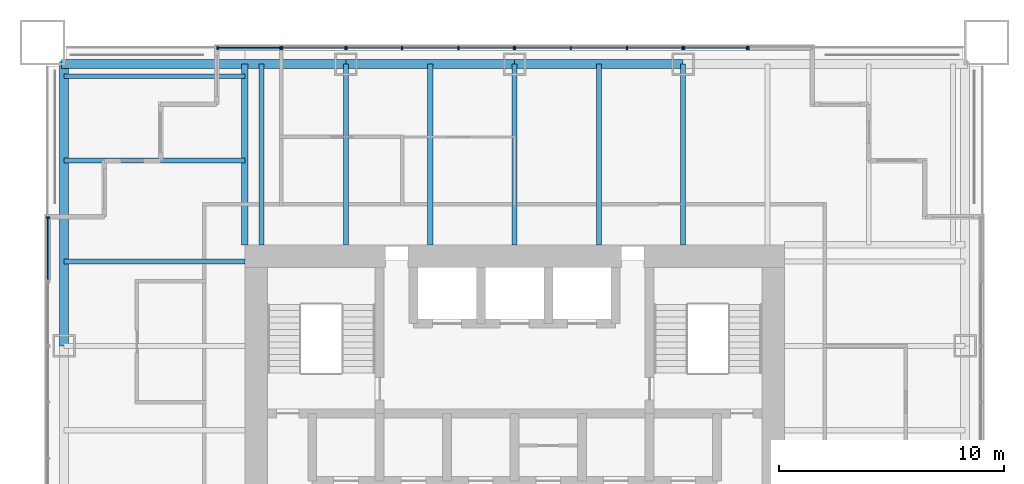
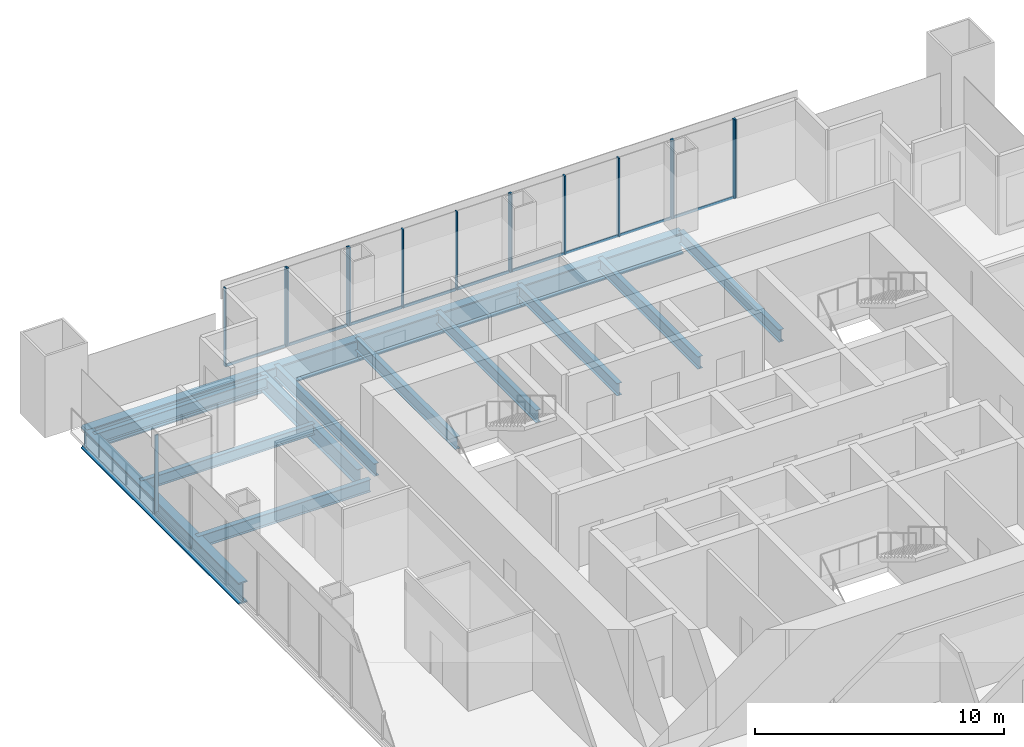
# One storey, part 6 of 14: 26 members, 14 beams, 7 elements without a shape of their own.
"""IFC4 building model written with IfcOpenShell, lengths in metres."""

from ifc_helpers import new_model, si_unit, direction, frame, origin, origin_2d, place, context, subcontext, project, spatial, rectangle, i_section, extrude, material, material_profile, profile_set, type_object, element, aggregate, save


model = new_model("IFC4")

# Units and contexts
model_context = context("Model", 3, precision=1e-05, world=origin(), true_north=direction((0.0, 1.0)))
body_context = subcontext(model_context, "Body", "Model", "MODEL_VIEW")
ifc_project = project(units=[si_unit("LENGTHUNIT", "METRE"), si_unit("AREAUNIT", "SQUARE_METRE"), si_unit("VOLUMEUNIT", "CUBIC_METRE"), si_unit("PLANEANGLEUNIT", "RADIAN"), si_unit("MASSUNIT", "GRAM", prefix="KILO")], contexts=[model_context])

# Site, building, storey
site_placement = place(None, origin())
site = spatial("IfcSite", under=ifc_project, at=site_placement, CompositionType="ELEMENT")
building_placement = place(site_placement, origin())
building = spatial("IfcBuilding", under=site, at=building_placement, Name="Tarangal Relay Tower", CompositionType="ELEMENT")
storey_placement = place(building_placement, frame((0.0, 0.0, 263.89990234375)))
storey = spatial("IfcBuildingStorey", under=building, at=storey_placement, Name="L57", CompositionType="ELEMENT", Elevation=263.89990234375)

# Beams
ifc_material_1 = material(Name="Steel ASTM A992", Category="steel")
ifc_material_profile_1 = material_profile(ifc_material_1, i_section(OverallWidth=0.209228515625, OverallDepth=0.533447265625, WebThickness=0.01025390625, FlangeThickness=0.015625, at=origin_2d()), Name="W21X62")
ifc_profile_set_1 = profile_set([ifc_material_profile_1], Name="Steel ASTM A992")
beam_type_1 = type_object("IfcBeamType", Name="Corner beam W21X62", PredefinedType="JOIST", material=ifc_profile_set_1)
for number, where, z_axis, x_axis, name in (
    (1, (-12.0, 15.75, -0.41650390625), (-1.0, 0.0, 0.0), (0.0, -1.0, 0.0), "Corner beam CB12 W L57"),
    (2, (-12.0, 19.5, -0.41650390625), (-1.0, 0.0, 0.0), (0.0, -1.0, 0.0), "Corner beam CB12 W L57"),
):
    element("IfcBeam", number, at=place(storey_placement, frame(where, z_axis=z_axis, x_axis=x_axis)), inside=storey, type_object=beam_type_1, Name=name, PredefinedType="JOIST", context=body_context, shape_type="SweptSolid", body=[
        extrude(i_section(OverallWidth=0.209228515625, OverallDepth=0.533447265625, WebThickness=0.01025390625, FlangeThickness=0.015625, at=origin_2d()), origin(), (0.0, 0.0, 1.0), 8.0400390625),
    ])
ifc_material_profile_2 = material_profile(ifc_material_1, i_section(OverallWidth=0.2919921875, OverallDepth=0.8408203125, WebThickness=0.0146484375, FlangeThickness=0.021728515625, at=origin_2d()), Name="W33X130")
ifc_profile_set_2 = profile_set([ifc_material_profile_2], Name="Steel ASTM A992")
beam_type_2 = type_object("IfcBeamType", Name="Corner girder W33X130", PredefinedType="BEAM", material=ifc_profile_set_2)
beam_1_placement = place(storey_placement, frame((-12.0, 12.0, -0.5703125), z_axis=(0.0, 1.0, 0.0), x_axis=(-1.0, 0.0, 0.0)))
element("IfcBeam", 3, at=beam_1_placement, inside=storey, type_object=beam_type_2, Name="Corner girder CG5 W L57", PredefinedType="BEAM", context=body_context, shape_type="SweptSolid", body=[
    extrude(i_section(OverallWidth=0.2919921875, OverallDepth=0.8408203125, WebThickness=0.0146484375, FlangeThickness=0.021728515625, at=origin_2d()), origin(), (0.0, 0.0, 1.0), 8.0400390625),
])
ifc_material_profile_3 = material_profile(ifc_material_1, i_section(OverallWidth=0.41162109375, OverallDepth=1.049072265625, WebThickness=0.033935546875, FlangeThickness=0.059814453125, at=origin_2d()), Name="W40X431")
ifc_profile_set_3 = profile_set([ifc_material_profile_3], Name="Steel ASTM A992")
beam_type_3 = type_object("IfcBeamType", Name="Edge girder W40X431", PredefinedType="SPANDREL", material=ifc_profile_set_3)
beam_2_placement = place(storey_placement, frame((-20.14990234375, 20.0400390625, -0.67431640625), z_axis=(1.0, 0.0, 0.0), x_axis=(0.0, 1.0, 0.0)))
element("IfcBeam", 4, at=beam_2_placement, inside=storey, type_object=beam_type_3, Name="Edge girder EG1 N L57", PredefinedType="SPANDREL", context=body_context, shape_type="SweptSolid", body=[
    extrude(i_section(OverallWidth=0.41162109375, OverallDepth=1.049072265625, WebThickness=0.033935546875, FlangeThickness=0.059814453125, at=origin_2d()), origin(), (0.0, 0.0, 1.0), 12.64990234375),
])
for number, where, z_axis, x_axis, name in (
    (5, (-7.5, 20.0400390625, -0.67431640625), (1.0, 0.0, 0.0), (0.0, 1.0, 0.0), "Edge girder EG1 N L57"),
    (6, (0.0, 20.0400390625, -0.67431640625), (1.0, 0.0, 0.0), (0.0, 1.0, 0.0), "Edge girder EG1 N L57"),
):
    element("IfcBeam", number, at=place(storey_placement, frame(where, z_axis=z_axis, x_axis=x_axis)), inside=storey, type_object=beam_type_3, Name=name, PredefinedType="SPANDREL", context=body_context, shape_type="SweptSolid", body=[
        extrude(i_section(OverallWidth=0.41162109375, OverallDepth=1.049072265625, WebThickness=0.033935546875, FlangeThickness=0.059814453125, at=origin_2d()), origin(), (0.0, 0.0, 1.0), 7.5),
    ])
beam_3_placement = place(storey_placement, frame((-20.0400390625, 7.5, -0.67431640625), z_axis=(0.0, 1.0, 0.0), x_axis=(-1.0, 0.0, 0.0)))
element("IfcBeam", 7, at=beam_3_placement, inside=storey, type_object=beam_type_3, Name="Edge girder EG1 W L57", PredefinedType="SPANDREL", context=body_context, shape_type="SweptSolid", body=[
    extrude(i_section(OverallWidth=0.41162109375, OverallDepth=1.049072265625, WebThickness=0.033935546875, FlangeThickness=0.059814453125, at=origin_2d()), origin(), (0.0, 0.0, 1.0), 12.64990234375),
])
ifc_material_profile_4 = material_profile(ifc_material_1, i_section(OverallWidth=0.228271484375, OverallDepth=0.607177734375, WebThickness=0.01123046875, FlangeThickness=0.017333984375, at=origin_2d()), Name="W24X76")
ifc_profile_set_4 = profile_set([ifc_material_profile_4], Name="Steel ASTM A992")
beam_type_4 = type_object("IfcBeamType", Name="Floor beam W24X76", PredefinedType="BEAM", material=ifc_profile_set_4)
for number, where, z_axis, x_axis, name in (
    (8, (-11.25, 12.0, -0.453369140625), (0.0, 1.0, 0.0), (-1.0, 0.0, 0.0), "Floor beam RB5 N L57"),
    (9, (-7.5, 12.0, -0.453369140625), (0.0, 1.0, 0.0), (-1.0, 0.0, 0.0), "Floor beam RB5 N L57"),
    (10, (-3.75, 12.0, -0.453369140625), (0.0, 1.0, 0.0), (-1.0, 0.0, 0.0), "Floor beam RB5 N L57"),
    (11, (0.0, 12.0, -0.453369140625), (0.0, 1.0, 0.0), (-1.0, 0.0, 0.0), "Floor beam RB5 N L57"),
    (12, (3.75, 12.0, -0.453369140625), (0.0, 1.0, 0.0), (-1.0, 0.0, 0.0), "Floor beam RB5 N L57"),
    (13, (7.5, 12.0, -0.453369140625), (0.0, 1.0, 0.0), (-1.0, 0.0, 0.0), "Floor beam RB5 N L57"),
    (14, (-12.0, 11.25, -0.453369140625), (-1.0, 0.0, 0.0), (0.0, -1.0, 0.0), "Floor beam RB5 W L57"),
):
    element("IfcBeam", number, at=place(storey_placement, frame(where, z_axis=z_axis, x_axis=x_axis)), inside=storey, type_object=beam_type_4, Name=name, PredefinedType="BEAM", context=body_context, shape_type="SweptSolid", body=[
        extrude(i_section(OverallWidth=0.228271484375, OverallDepth=0.607177734375, WebThickness=0.01123046875, FlangeThickness=0.017333984375, at=origin_2d()), origin(), (0.0, 0.0, 1.0), 8.0400390625),
    ])

# Curtain wall, members
ifc_material_2 = material(Name="Unitised curtain wall, dark glass and black aluminium", Category="aluminium")
curtain_wall_type_1 = type_object("IfcCurtainWallType", Name="Curtain wall CW-B", PredefinedType="USERDEFINED", material=ifc_material_2)
curtain_wall_1_placement = place(storey_placement, origin())
curtain_wall_1 = element("IfcCurtainWall", 15, at=curtain_wall_1_placement, inside=storey, type_object=curtain_wall_type_1, Name="Curtain wall CW-B N facade L57", ObjectType="UNITISED CURTAIN WALL", PredefinedType="USERDEFINED")
ifc_material_3 = material(Name="Black anodised aluminium mullion", Category="aluminium")
ifc_material_profile_5 = material_profile(ifc_material_3, rectangle(XDim=0.159912109375, YDim=0.06005859375, at=origin_2d()), Name="CW-BM 60X160")
ifc_profile_set_5 = profile_set([ifc_material_profile_5], Name="Black anodised aluminium mullion")
member_type_1 = type_object("IfcMemberType", Name="Mullion CW-B 60 x 160", PredefinedType="MULLION", material=ifc_profile_set_5)
member_1_placement = place(storey_placement, frame((-10.344970703125, 20.75, 0.0), z_axis=(0.0, 0.0, 1.0), x_axis=(0.0, 1.0, 0.0)))
member_1 = element("IfcMember", 16, at=member_1_placement, type_object=member_type_1, Name="CW-B mullion 1", PredefinedType="MULLION", context=body_context, shape_type="SweptSolid", body=[
    extrude(rectangle(XDim=0.159912109375, YDim=0.06005859375, at=origin_2d()), origin(), (0.0, 0.0, 1.0), 3.85009765625),
])
member_2_placement = place(storey_placement, frame((-7.530029296875, 20.75, 0.0), z_axis=(0.0, 0.0, 1.0), x_axis=(0.0, 1.0, 0.0)))
member_2 = element("IfcMember", 17, at=member_2_placement, type_object=member_type_1, Name="CW-B mullion 2", PredefinedType="MULLION", context=body_context, shape_type="SweptSolid", body=[
    extrude(rectangle(XDim=0.159912109375, YDim=0.06005859375, at=origin_2d()), origin(), (0.0, 0.0, 1.0), 3.85009765625),
])

curtain_wall_2_placement = place(storey_placement, origin())
curtain_wall_2 = element("IfcCurtainWall", 18, at=curtain_wall_2_placement, inside=storey, type_object=curtain_wall_type_1, Name="Curtain wall CW-B N facade L57", ObjectType="UNITISED CURTAIN WALL", PredefinedType="USERDEFINED")
member_3_placement = place(storey_placement, frame((-7.469970703125, 20.75, 0.0), z_axis=(0.0, 0.0, 1.0), x_axis=(0.0, 1.0, 0.0)))
member_3 = element("IfcMember", 19, at=member_3_placement, type_object=member_type_1, Name="CW-B mullion 1", PredefinedType="MULLION", context=body_context, shape_type="SweptSolid", body=[
    extrude(rectangle(XDim=0.159912109375, YDim=0.06005859375, at=origin_2d()), origin(), (0.0, 0.0, 1.0), 3.85009765625),
])
member_4_placement = place(storey_placement, frame((-5.0, 20.75, 0.0), z_axis=(0.0, 0.0, 1.0), x_axis=(0.0, 1.0, 0.0)))
member_4 = element("IfcMember", 20, at=member_4_placement, type_object=member_type_1, Name="CW-B mullion 2", PredefinedType="MULLION", context=body_context, shape_type="SweptSolid", body=[
    extrude(rectangle(XDim=0.159912109375, YDim=0.06005859375, at=origin_2d()), origin(), (0.0, 0.0, 1.0), 3.85009765625),
])
member_5_placement = place(storey_placement, frame((-2.5, 20.75, 0.0), z_axis=(0.0, 0.0, 1.0), x_axis=(0.0, 1.0, 0.0)))
member_5 = element("IfcMember", 21, at=member_5_placement, type_object=member_type_1, Name="CW-B mullion 3", PredefinedType="MULLION", context=body_context, shape_type="SweptSolid", body=[
    extrude(rectangle(XDim=0.159912109375, YDim=0.06005859375, at=origin_2d()), origin(), (0.0, 0.0, 1.0), 3.85009765625),
])
member_6_placement = place(storey_placement, frame((-0.030029296875, 20.75, 0.0), z_axis=(0.0, 0.0, 1.0), x_axis=(0.0, 1.0, 0.0)))
member_6 = element("IfcMember", 22, at=member_6_placement, type_object=member_type_1, Name="CW-B mullion 4", PredefinedType="MULLION", context=body_context, shape_type="SweptSolid", body=[
    extrude(rectangle(XDim=0.159912109375, YDim=0.06005859375, at=origin_2d()), origin(), (0.0, 0.0, 1.0), 3.85009765625),
])

curtain_wall_3_placement = place(storey_placement, origin())
curtain_wall_3 = element("IfcCurtainWall", 23, at=curtain_wall_3_placement, inside=storey, type_object=curtain_wall_type_1, Name="Curtain wall CW-B N facade L57", ObjectType="UNITISED CURTAIN WALL", PredefinedType="USERDEFINED")
member_7_placement = place(storey_placement, frame((0.030029296875, 20.75, 0.0), z_axis=(0.0, 0.0, 1.0), x_axis=(0.0, 1.0, 0.0)))
member_7 = element("IfcMember", 24, at=member_7_placement, type_object=member_type_1, Name="CW-B mullion 1", PredefinedType="MULLION", context=body_context, shape_type="SweptSolid", body=[
    extrude(rectangle(XDim=0.159912109375, YDim=0.06005859375, at=origin_2d()), origin(), (0.0, 0.0, 1.0), 3.85009765625),
])
member_8_placement = place(storey_placement, frame((2.5, 20.75, 0.0), z_axis=(0.0, 0.0, 1.0), x_axis=(0.0, 1.0, 0.0)))
member_8 = element("IfcMember", 25, at=member_8_placement, type_object=member_type_1, Name="CW-B mullion 2", PredefinedType="MULLION", context=body_context, shape_type="SweptSolid", body=[
    extrude(rectangle(XDim=0.159912109375, YDim=0.06005859375, at=origin_2d()), origin(), (0.0, 0.0, 1.0), 3.85009765625),
])
member_9_placement = place(storey_placement, frame((5.0, 20.75, 0.0), z_axis=(0.0, 0.0, 1.0), x_axis=(0.0, 1.0, 0.0)))
member_9 = element("IfcMember", 26, at=member_9_placement, type_object=member_type_1, Name="CW-B mullion 3", PredefinedType="MULLION", context=body_context, shape_type="SweptSolid", body=[
    extrude(rectangle(XDim=0.159912109375, YDim=0.06005859375, at=origin_2d()), origin(), (0.0, 0.0, 1.0), 3.85009765625),
])
member_10_placement = place(storey_placement, frame((7.469970703125, 20.75, 0.0), z_axis=(0.0, 0.0, 1.0), x_axis=(0.0, 1.0, 0.0)))
member_10 = element("IfcMember", 27, at=member_10_placement, type_object=member_type_1, Name="CW-B mullion 4", PredefinedType="MULLION", context=body_context, shape_type="SweptSolid", body=[
    extrude(rectangle(XDim=0.159912109375, YDim=0.06005859375, at=origin_2d()), origin(), (0.0, 0.0, 1.0), 3.85009765625),
])

curtain_wall_4_placement = place(storey_placement, origin())
curtain_wall_4 = element("IfcCurtainWall", 28, at=curtain_wall_4_placement, inside=storey, type_object=curtain_wall_type_1, Name="Curtain wall CW-B N facade L57", ObjectType="UNITISED CURTAIN WALL", PredefinedType="USERDEFINED")
member_11_placement = place(storey_placement, frame((7.530029296875, 20.75, 0.0), z_axis=(0.0, 0.0, 1.0), x_axis=(0.0, 1.0, 0.0)))
member_11 = element("IfcMember", 29, at=member_11_placement, type_object=member_type_1, Name="CW-B mullion 1", PredefinedType="MULLION", context=body_context, shape_type="SweptSolid", body=[
    extrude(rectangle(XDim=0.159912109375, YDim=0.06005859375, at=origin_2d()), origin(), (0.0, 0.0, 1.0), 3.85009765625),
])
member_12_placement = place(storey_placement, frame((10.344970703125, 20.75, 0.0), z_axis=(0.0, 0.0, 1.0), x_axis=(0.0, 1.0, 0.0)))
member_12 = element("IfcMember", 30, at=member_12_placement, type_object=member_type_1, Name="CW-B mullion 2", PredefinedType="MULLION", context=body_context, shape_type="SweptSolid", body=[
    extrude(rectangle(XDim=0.159912109375, YDim=0.06005859375, at=origin_2d()), origin(), (0.0, 0.0, 1.0), 3.85009765625),
])

ifc_material_4 = material(Name="Unitised curtain wall frame, black aluminium, with metal clad infill walls", Category="aluminium")
curtain_wall_type_2 = type_object("IfcCurtainWallType", Name="Curtain wall CW-BO", PredefinedType="USERDEFINED", material=ifc_material_4)
curtain_wall_5_placement = place(storey_placement, origin())
curtain_wall_5 = element("IfcCurtainWall", 31, at=curtain_wall_5_placement, inside=storey, type_object=curtain_wall_type_2, Name="Curtain wall CW-BO N facade L57", ObjectType="UNITISED CURTAIN WALL", PredefinedType="USERDEFINED")
ifc_material_profile_6 = material_profile(ifc_material_3, rectangle(XDim=0.159912109375, YDim=0.06005859375, at=origin_2d()), Name="CW-BOM 60X160")
ifc_profile_set_6 = profile_set([ifc_material_profile_6], Name="Black anodised aluminium mullion")
member_type_2 = type_object("IfcMemberType", Name="Mullion CW-BO 60 x 160", PredefinedType="MULLION", material=ifc_profile_set_6)
member_13_placement = place(storey_placement, frame((-13.219970703125, 20.75, 0.0), z_axis=(0.0, 0.0, 1.0), x_axis=(0.0, 1.0, 0.0)))
member_13 = element("IfcMember", 32, at=member_13_placement, type_object=member_type_2, Name="CW-BO mullion 1", PredefinedType="MULLION", context=body_context, shape_type="SweptSolid", body=[
    extrude(rectangle(XDim=0.159912109375, YDim=0.06005859375, at=origin_2d()), origin(), (0.0, 0.0, 1.0), 3.85009765625),
])
member_14_placement = place(storey_placement, frame((-10.405029296875, 20.75, 0.0), z_axis=(0.0, 0.0, 1.0), x_axis=(0.0, 1.0, 0.0)))
member_14 = element("IfcMember", 33, at=member_14_placement, type_object=member_type_2, Name="CW-BO mullion 2", PredefinedType="MULLION", context=body_context, shape_type="SweptSolid", body=[
    extrude(rectangle(XDim=0.159912109375, YDim=0.06005859375, at=origin_2d()), origin(), (0.0, 0.0, 1.0), 3.85009765625),
])

# Curtain wall, member
curtain_wall_6_placement = place(storey_placement, origin())
curtain_wall_6 = element("IfcCurtainWall", 34, at=curtain_wall_6_placement, inside=storey, type_object=curtain_wall_type_2, Name="Curtain wall CW-BO N facade L57", ObjectType="UNITISED CURTAIN WALL", PredefinedType="USERDEFINED")
member_15_placement = place(storey_placement, frame((10.405029296875, 20.75, 0.0), z_axis=(0.0, 0.0, 1.0), x_axis=(0.0, 1.0, 0.0)))
member_15 = element("IfcMember", 35, at=member_15_placement, type_object=member_type_2, Name="CW-BO mullion 1", PredefinedType="MULLION", context=body_context, shape_type="SweptSolid", body=[
    extrude(rectangle(XDim=0.159912109375, YDim=0.06005859375, at=origin_2d()), origin(), (0.0, 0.0, 1.0), 3.85009765625),
])
aggregate(curtain_wall_6, [member_15])

curtain_wall_7_placement = place(storey_placement, origin())
curtain_wall_7 = element("IfcCurtainWall", 36, at=curtain_wall_7_placement, inside=storey, type_object=curtain_wall_type_2, Name="Curtain wall CW-BO W facade L57", ObjectType="UNITISED CURTAIN WALL", PredefinedType="USERDEFINED")
member_16_placement = place(storey_placement, frame((-20.75, 13.219970703125, 0.0), z_axis=(0.0, 0.0, 1.0), x_axis=(-1.0, 0.0, 0.0)))
member_16 = element("IfcMember", 37, at=member_16_placement, type_object=member_type_2, Name="CW-BO mullion 2", PredefinedType="MULLION", context=body_context, shape_type="SweptSolid", body=[
    extrude(rectangle(XDim=0.159912109375, YDim=0.06005859375, at=origin_2d()), origin(), (0.0, 0.0, 1.0), 3.85009765625),
])

# Member
ifc_material_5 = material(Name="Black anodised aluminium transom", Category="aluminium")
ifc_material_profile_7 = material_profile(ifc_material_5, rectangle(XDim=0.06005859375, YDim=0.1298828125, at=origin_2d()), Name="CW-BT 60X130")
ifc_profile_set_7 = profile_set([ifc_material_profile_7], Name="Black anodised aluminium transom")
member_type_3 = type_object("IfcMemberType", Name="Transom CW-B 60 x 130", PredefinedType="USERDEFINED", material=ifc_profile_set_7)
member_17_placement = place(storey_placement, frame((-10.31494140625, 20.75, 0.030029296875), z_axis=(1.0, 0.0, 0.0), x_axis=(0.0, 1.0, 0.0)))
member_17 = element("IfcMember", 38, at=member_17_placement, type_object=member_type_3, Name="CW-B transom 1.1", ObjectType="TRANSOM", PredefinedType="USERDEFINED", context=body_context, shape_type="SweptSolid", body=[
    extrude(rectangle(XDim=0.06005859375, YDim=0.1298828125, at=origin_2d()), origin(), (0.0, 0.0, 1.0), 2.7548828125),
])

aggregate(curtain_wall_1, [member_1, member_2, member_17])

member_18_placement = place(storey_placement, frame((-7.43994140625, 20.75, 0.030029296875), z_axis=(1.0, 0.0, 0.0), x_axis=(0.0, 1.0, 0.0)))
member_18 = element("IfcMember", 39, at=member_18_placement, type_object=member_type_3, Name="CW-B transom 1.1", ObjectType="TRANSOM", PredefinedType="USERDEFINED", context=body_context, shape_type="SweptSolid", body=[
    extrude(rectangle(XDim=0.06005859375, YDim=0.1298828125, at=origin_2d()), origin(), (0.0, 0.0, 1.0), 2.409912109375),
])

member_19_placement = place(storey_placement, frame((-4.969970703125, 20.75, 0.030029296875), z_axis=(1.0, 0.0, 0.0), x_axis=(0.0, 1.0, 0.0)))
member_19 = element("IfcMember", 40, at=member_19_placement, type_object=member_type_3, Name="CW-B transom 2.1", ObjectType="TRANSOM", PredefinedType="USERDEFINED", context=body_context, shape_type="SweptSolid", body=[
    extrude(rectangle(XDim=0.06005859375, YDim=0.1298828125, at=origin_2d()), origin(), (0.0, 0.0, 1.0), 2.43994140625),
])

member_20_placement = place(storey_placement, frame((-2.469970703125, 20.75, 0.030029296875), z_axis=(1.0, 0.0, 0.0), x_axis=(0.0, 1.0, 0.0)))
member_20 = element("IfcMember", 41, at=member_20_placement, type_object=member_type_3, Name="CW-B transom 3.1", ObjectType="TRANSOM", PredefinedType="USERDEFINED", context=body_context, shape_type="SweptSolid", body=[
    extrude(rectangle(XDim=0.06005859375, YDim=0.1298828125, at=origin_2d()), origin(), (0.0, 0.0, 1.0), 2.409912109375),
])

aggregate(curtain_wall_2, [member_3, member_4, member_5, member_6, member_18, member_19, member_20])

member_21_placement = place(storey_placement, frame((0.06005859375, 20.75, 0.030029296875), z_axis=(1.0, 0.0, 0.0), x_axis=(0.0, 1.0, 0.0)))
member_21 = element("IfcMember", 42, at=member_21_placement, type_object=member_type_3, Name="CW-B transom 1.1", ObjectType="TRANSOM", PredefinedType="USERDEFINED", context=body_context, shape_type="SweptSolid", body=[
    extrude(rectangle(XDim=0.06005859375, YDim=0.1298828125, at=origin_2d()), origin(), (0.0, 0.0, 1.0), 2.409912109375),
])

member_22_placement = place(storey_placement, frame((2.530029296875, 20.75, 0.030029296875), z_axis=(1.0, 0.0, 0.0), x_axis=(0.0, 1.0, 0.0)))
member_22 = element("IfcMember", 43, at=member_22_placement, type_object=member_type_3, Name="CW-B transom 2.1", ObjectType="TRANSOM", PredefinedType="USERDEFINED", context=body_context, shape_type="SweptSolid", body=[
    extrude(rectangle(XDim=0.06005859375, YDim=0.1298828125, at=origin_2d()), origin(), (0.0, 0.0, 1.0), 2.43994140625),
])

member_23_placement = place(storey_placement, frame((5.030029296875, 20.75, 0.030029296875), z_axis=(1.0, 0.0, 0.0), x_axis=(0.0, 1.0, 0.0)))
member_23 = element("IfcMember", 44, at=member_23_placement, type_object=member_type_3, Name="CW-B transom 3.1", ObjectType="TRANSOM", PredefinedType="USERDEFINED", context=body_context, shape_type="SweptSolid", body=[
    extrude(rectangle(XDim=0.06005859375, YDim=0.1298828125, at=origin_2d()), origin(), (0.0, 0.0, 1.0), 2.409912109375),
])

aggregate(curtain_wall_3, [member_7, member_8, member_9, member_10, member_21, member_22, member_23])

member_24_placement = place(storey_placement, frame((7.56005859375, 20.75, 0.030029296875), z_axis=(1.0, 0.0, 0.0), x_axis=(0.0, 1.0, 0.0)))
member_24 = element("IfcMember", 45, at=member_24_placement, type_object=member_type_3, Name="CW-B transom 1.1", ObjectType="TRANSOM", PredefinedType="USERDEFINED", context=body_context, shape_type="SweptSolid", body=[
    extrude(rectangle(XDim=0.06005859375, YDim=0.1298828125, at=origin_2d()), origin(), (0.0, 0.0, 1.0), 2.7548828125),
])

aggregate(curtain_wall_4, [member_11, member_12, member_24])

ifc_material_profile_8 = material_profile(ifc_material_5, rectangle(XDim=0.06005859375, YDim=0.1298828125, at=origin_2d()), Name="CW-BOT 60X130")
ifc_profile_set_8 = profile_set([ifc_material_profile_8], Name="Black anodised aluminium transom")
member_type_4 = type_object("IfcMemberType", Name="Transom CW-BO 60 x 130", PredefinedType="USERDEFINED", material=ifc_profile_set_8)
member_25_placement = place(storey_placement, frame((-13.18994140625, 20.75, 0.030029296875), z_axis=(1.0, 0.0, 0.0), x_axis=(0.0, 1.0, 0.0)))
member_25 = element("IfcMember", 46, at=member_25_placement, type_object=member_type_4, Name="CW-BO transom 1.1", ObjectType="TRANSOM", PredefinedType="USERDEFINED", context=body_context, shape_type="SweptSolid", body=[
    extrude(rectangle(XDim=0.06005859375, YDim=0.1298828125, at=origin_2d()), origin(), (0.0, 0.0, 1.0), 2.7548828125),
])

aggregate(curtain_wall_5, [member_13, member_14, member_25])

member_26_placement = place(storey_placement, frame((-20.75, 10.43505859375, 0.030029296875), z_axis=(0.0, 1.0, 0.0), x_axis=(-1.0, 0.0, 0.0)))
member_26 = element("IfcMember", 47, at=member_26_placement, type_object=member_type_4, Name="CW-BO transom 1.1", ObjectType="TRANSOM", PredefinedType="USERDEFINED", context=body_context, shape_type="SweptSolid", body=[
    extrude(rectangle(XDim=0.06005859375, YDim=0.1298828125, at=origin_2d()), origin(), (0.0, 0.0, 1.0), 2.7548828125),
])

aggregate(curtain_wall_7, [member_16, member_26])

save(model, "model.ifc")
